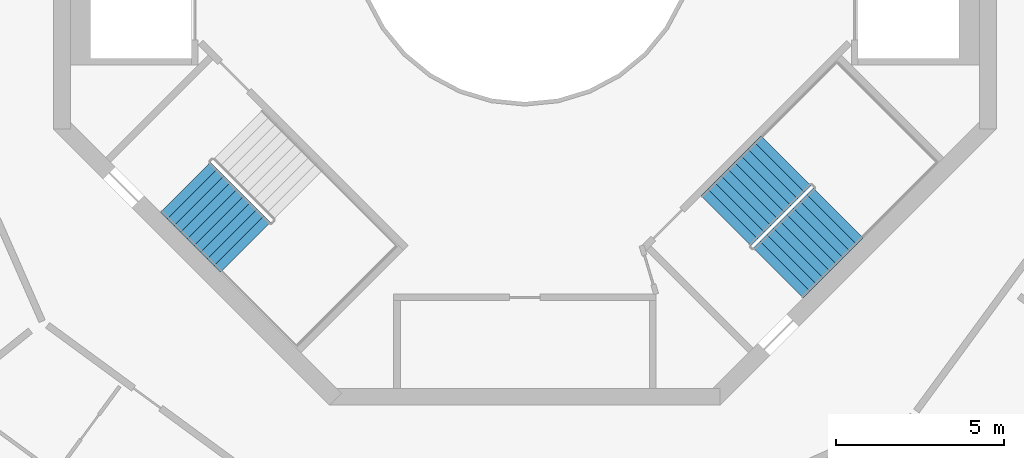
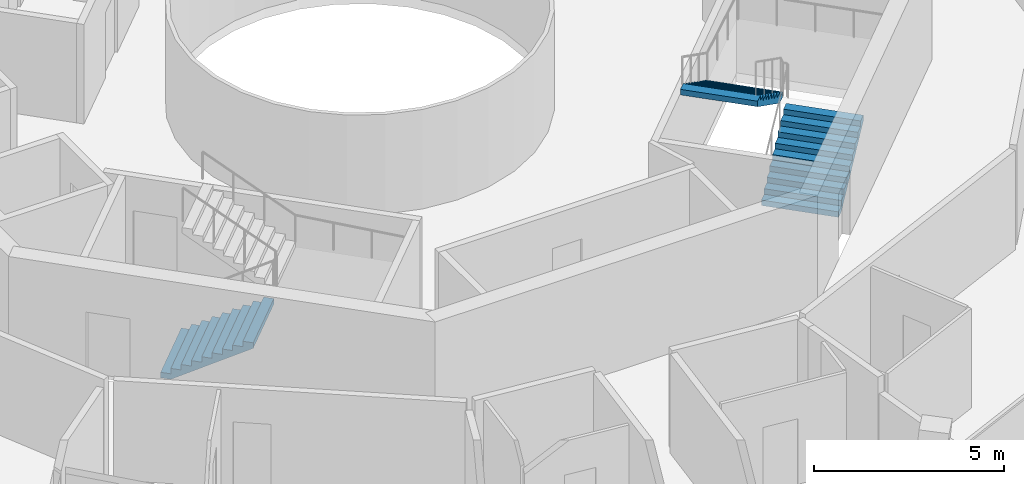
# One storey, part 20 of 22: 3 stair flights, 2 elements without a shape of their own.
"""IFC4 building model written with IfcOpenShell, lengths in metres."""

from ifc_helpers import new_model, si_unit, direction, frame, origin, place, context, subcontext, project, spatial, triangles, material, type_object, element, aggregate, save


model = new_model("IFC4")

# Units and contexts
model_context = context("Model", 3, precision=1e-05, world=origin(), true_north=direction((0.0, 1.0)))
body_context = subcontext(model_context, "Body", "Model", "MODEL_VIEW")
ifc_project = project(units=[si_unit("LENGTHUNIT", "METRE"), si_unit("AREAUNIT", "SQUARE_METRE"), si_unit("VOLUMEUNIT", "CUBIC_METRE"), si_unit("PLANEANGLEUNIT", "RADIAN"), si_unit("MASSUNIT", "GRAM", prefix="KILO")], contexts=[model_context])

# Site, building, storey
site_placement = place(None, origin())
site = spatial("IfcSite", under=ifc_project, at=site_placement, CompositionType="ELEMENT")
building_placement = place(site_placement, origin())
building = spatial("IfcBuilding", under=site, at=building_placement, Name="Verdalira Terraces Hotel", CompositionType="ELEMENT")
storey_placement = place(building_placement, frame((0.0, 0.0, 252.5)))
storey = spatial("IfcBuildingStorey", under=building, at=storey_placement, Name="L62", CompositionType="ELEMENT", Elevation=252.5)

# Stair, stair flight
ifc_material_1 = material(Name="Concrete C40", Category="concrete")
stair_type = type_object("IfcStairType", Name="Core stair 20 risers 2100 mm wide", PredefinedType="HALF_TURN_STAIR", material=ifc_material_1)
stair_1_placement = place(storey_placement, origin())
stair_1 = element("IfcStair", 1, at=stair_1_placement, inside=storey, type_object=stair_type, Name="L62 Exit stair ST2", PredefinedType="HALF_TURN_STAIR")
ifc_material_2 = material(Name="Concrete C40", Category="concrete")
stair_flight_type = type_object("IfcStairFlightType", Name="Core stair flight 20 risers 2100 mm wide", PredefinedType="STRAIGHT", material=ifc_material_2)
stair_flight_1_placement = place(storey_placement, frame((-10.076172, -7.530762, 0.0), z_axis=(0.0, 0.0, 1.0), x_axis=(0.707106781, -0.707106781, 0.0)))
stair_flight_1 = element("IfcStairFlight", 2, at=stair_flight_1_placement, type_object=stair_flight_type, Name="ST2 flight 1", NumberOfRisers=10, NumberOfTreads=9, PredefinedType="STRAIGHT", RiserHeight=0.175, TreadLength=0.28, context=body_context, shape_type="Tessellation", body=[
    triangles([(0.0, 1.050049, 0.0), (0.282715, 1.050049, 0.0), (2.52002, 1.050049, 1.398193), (0.0, -1.050049, 0.0), (0.282715, -1.050049, 0.0), (2.52002, -1.050049, 1.398193), (2.52002, 1.050049, 1.574951), (2.23999, 1.050049, 1.574951), (2.52002, -1.050049, 1.574951), (2.23999, -1.050049, 1.574951), (2.23999, 1.050049, 1.399902), (2.23999, -1.050049, 1.399902), (1.959961, 1.050049, 1.399902), (1.959961, -1.050049, 1.399902), (1.959961, 1.050049, 1.225098), (1.959961, -1.050049, 1.225098), (1.679932, 1.050049, 1.225098), (1.679932, 1.050049, 1.050049), (1.679932, -1.050049, 1.225098), (1.679932, -1.050049, 1.050049), (1.399902, 1.050049, 1.050049), (1.399902, 1.050049, 0.875), (1.399902, -1.050049, 1.050049), (1.399902, -1.050049, 0.875), (1.120117, 1.050049, 0.875), (1.120117, 1.050049, 0.699951), (1.120117, -1.050049, 0.875), (1.120117, -1.050049, 0.699951), (0.840088, 1.050049, 0.699951), (0.840088, 1.050049, 0.524902), (0.840088, -1.050049, 0.699951), (0.840088, -1.050049, 0.524902), (0.560059, 1.050049, 0.524902), (0.560059, 1.050049, 0.350098), (0.560059, -1.050049, 0.524902), (0.560059, -1.050049, 0.350098), (0.280029, 1.050049, 0.350098), (0.280029, 1.050049, 0.175049), (0.280029, -1.050049, 0.350098), (0.280029, -1.050049, 0.175049), (0.0, 1.050049, 0.175049), (0.0, -1.050049, 0.175049), (0.0, -0.984421, 0.0), (0.0, -0.984421, 0.175049), (0.0, -0.918793, 0.0), (0.0, -0.918793, 0.175049), (0.0, -0.853165, 0.0), (0.0, -0.853165, 0.175049), (0.0, -0.787537, 0.0), (0.0, -0.787537, 0.175049), (0.0, -0.721909, 0.0), (0.0, -0.721909, 0.175049), (0.0, -0.656281, 0.0), (0.0, -0.656281, 0.175049), (0.0, -0.590652, 0.0), (0.0, -0.590652, 0.175049), (0.0, -0.525024, 0.0), (0.0, -0.525024, 0.175049), (0.0, -0.459396, 0.0), (0.0, -0.459396, 0.175049), (0.0, -0.393768, 0.0), (0.0, -0.393768, 0.175049), (0.0, -0.32814, 0.0), (0.0, -0.32814, 0.175049), (0.0, -0.262512, 0.0), (0.0, -0.262512, 0.175049), (0.0, -0.196884, 0.0), (0.0, -0.196884, 0.175049), (0.0, -0.131256, 0.0), (0.0, -0.131256, 0.175049), (0.0, -0.065628, 0.0), (0.0, -0.065628, 0.175049), (0.0, 0.0, 0.0), (0.0, 0.0, 0.175049), (0.0, 0.065628, 0.0), (0.0, 0.065628, 0.175049), (0.0, 0.131256, 0.0), (0.0, 0.131256, 0.175049), (0.0, 0.196884, 0.0), (0.0, 0.196884, 0.175049), (0.0, 0.262512, 0.0), (0.0, 0.262512, 0.175049), (0.0, 0.32814, 0.0), (0.0, 0.32814, 0.175049), (0.0, 0.393768, 0.0), (0.0, 0.393768, 0.175049), (0.0, 0.459396, 0.0), (0.0, 0.459396, 0.175049), (0.0, 0.525024, 0.0), (0.0, 0.525024, 0.175049), (0.0, 0.590652, 0.0), (0.0, 0.590652, 0.175049), (0.0, 0.656281, 0.0), (0.0, 0.656281, 0.175049), (0.0, 0.721909, 0.0), (0.0, 0.721909, 0.175049), (0.0, 0.787537, 0.0), (0.0, 0.787537, 0.175049), (0.0, 0.853165, 0.0), (0.0, 0.853165, 0.175049), (0.0, 0.918793, 0.0), (0.0, 0.918793, 0.175049), (0.0, 0.984421, 0.0), (0.0, 0.984421, 0.175049), (2.52002, -0.984421, 1.574951), (2.52002, -0.918793, 1.574951), (2.52002, -0.853165, 1.574951), (2.52002, -0.787537, 1.574951), (2.52002, -0.721909, 1.574951), (2.52002, -0.656281, 1.574951), (2.52002, -0.590652, 1.574951), (2.52002, -0.525024, 1.574951), (2.52002, -0.459396, 1.574951), (2.52002, -0.393768, 1.574951), (2.52002, -0.32814, 1.574951), (2.52002, -0.262512, 1.574951), (2.52002, -0.196884, 1.574951), (2.52002, -0.131256, 1.574951), (2.52002, -0.065628, 1.574951), (2.52002, 0.0, 1.574951), (2.52002, 0.065628, 1.574951), (2.52002, 0.131256, 1.574951), (2.52002, 0.196884, 1.574951), (2.52002, 0.262512, 1.574951), (2.52002, 0.32814, 1.574951), (2.52002, 0.393768, 1.574951), (2.52002, 0.459396, 1.574951), (2.52002, 0.525024, 1.574951), (2.52002, 0.590652, 1.574951), (2.52002, 0.656281, 1.574951), (2.52002, 0.721909, 1.574951), (2.52002, 0.787537, 1.574951), (2.52002, 0.853165, 1.574951), (2.52002, 0.918793, 1.574951), (2.52002, 0.984421, 1.574951), (2.52002, -0.984421, 1.398193), (2.52002, -0.918793, 1.398193), (2.52002, -0.853165, 1.398193), (2.52002, -0.787537, 1.398193), (2.52002, -0.721909, 1.398193), (2.52002, -0.656281, 1.398193), (2.52002, -0.590652, 1.398193), (2.52002, -0.525024, 1.398193), (2.52002, -0.459396, 1.398193), (2.52002, -0.393768, 1.398193), (2.52002, -0.32814, 1.398193), (2.52002, -0.262512, 1.398193), (2.52002, -0.196884, 1.398193), (2.52002, -0.131256, 1.398193), (2.52002, -0.065628, 1.398193), (2.52002, 0.0, 1.398193), (2.52002, 0.065628, 1.398193), (2.52002, 0.131256, 1.398193), (2.52002, 0.196884, 1.398193), (2.52002, 0.262512, 1.398193), (2.52002, 0.32814, 1.398193), (2.52002, 0.393768, 1.398193), (2.52002, 0.459396, 1.398193), (2.52002, 0.525024, 1.398193), (2.52002, 0.590652, 1.398193), (2.52002, 0.656281, 1.398193), (2.52002, 0.721909, 1.398193), (2.52002, 0.787537, 1.398193), (2.52002, 0.853165, 1.398193), (2.52002, 0.918793, 1.398193), (2.52002, 0.984421, 1.398193)], [[1, 3, 2], [4, 5, 6], [3, 8, 7], [6, 9, 10], [3, 11, 8], [6, 10, 12], [3, 13, 11], [6, 12, 14], [3, 15, 13], [6, 14, 16], [15, 18, 17], [16, 19, 20], [3, 18, 15], [6, 16, 20], [18, 22, 21], [20, 23, 24], [3, 22, 18], [6, 20, 24], [22, 26, 25], [24, 27, 28], [3, 26, 22], [6, 24, 28], [26, 30, 29], [28, 31, 32], [3, 30, 26], [6, 28, 32], [1, 30, 3], [4, 6, 32], [30, 34, 33], [32, 35, 36], [34, 38, 37], [36, 39, 40], [30, 38, 34], [32, 36, 40], [1, 38, 30], [4, 32, 40], [38, 1, 41], [40, 42, 4], [4, 44, 43], [4, 42, 44], [43, 46, 45], [43, 44, 46], [45, 48, 47], [45, 46, 48], [47, 50, 49], [47, 48, 50], [49, 52, 51], [49, 50, 52], [51, 54, 53], [51, 52, 54], [53, 56, 55], [53, 54, 56], [55, 58, 57], [55, 56, 58], [57, 60, 59], [57, 58, 60], [59, 62, 61], [59, 60, 62], [61, 64, 63], [61, 62, 64], [63, 66, 65], [63, 64, 66], [65, 68, 67], [65, 66, 68], [67, 70, 69], [67, 68, 70], [69, 72, 71], [69, 70, 72], [71, 74, 73], [71, 72, 74], [73, 76, 75], [73, 74, 76], [75, 78, 77], [75, 76, 78], [77, 80, 79], [77, 78, 80], [79, 82, 81], [79, 80, 82], [81, 84, 83], [81, 82, 84], [83, 86, 85], [83, 84, 86], [85, 88, 87], [85, 86, 88], [87, 90, 89], [87, 88, 90], [89, 92, 91], [89, 90, 92], [91, 94, 93], [91, 92, 94], [93, 96, 95], [93, 94, 96], [95, 98, 97], [95, 96, 98], [97, 100, 99], [97, 98, 100], [99, 102, 101], [99, 100, 102], [101, 104, 103], [101, 102, 104], [103, 41, 1], [103, 104, 41], [42, 40, 44], [44, 40, 46], [46, 40, 48], [48, 40, 50], [50, 40, 52], [52, 40, 54], [54, 40, 56], [56, 40, 58], [58, 40, 60], [60, 40, 62], [62, 40, 64], [64, 40, 66], [66, 40, 68], [68, 40, 70], [70, 40, 72], [72, 40, 74], [74, 40, 76], [76, 40, 78], [78, 40, 80], [80, 40, 82], [82, 40, 84], [84, 40, 86], [86, 40, 88], [88, 40, 90], [90, 40, 92], [92, 40, 94], [94, 40, 96], [96, 40, 98], [98, 40, 100], [100, 40, 102], [102, 40, 104], [104, 40, 41], [41, 40, 38], [40, 37, 38], [40, 39, 37], [39, 34, 37], [39, 36, 34], [36, 33, 34], [36, 35, 33], [35, 30, 33], [35, 32, 30], [32, 29, 30], [32, 31, 29], [31, 26, 29], [31, 28, 26], [28, 25, 26], [28, 27, 25], [27, 22, 25], [27, 24, 22], [24, 21, 22], [24, 23, 21], [23, 18, 21], [23, 20, 18], [20, 17, 18], [20, 19, 17], [19, 15, 17], [19, 16, 15], [16, 13, 15], [16, 14, 13], [14, 11, 13], [14, 12, 11], [12, 8, 11], [12, 10, 8], [9, 105, 10], [105, 106, 10], [106, 107, 10], [107, 108, 10], [108, 109, 10], [109, 110, 10], [110, 111, 10], [111, 112, 10], [112, 113, 10], [113, 114, 10], [114, 115, 10], [115, 116, 10], [116, 117, 10], [117, 118, 10], [118, 119, 10], [119, 120, 10], [120, 121, 10], [121, 122, 10], [122, 123, 10], [123, 124, 10], [124, 125, 10], [125, 126, 10], [126, 127, 10], [127, 128, 10], [128, 129, 10], [129, 130, 10], [130, 131, 10], [131, 132, 10], [132, 133, 10], [133, 134, 10], [134, 135, 10], [135, 7, 10], [7, 8, 10], [9, 136, 105], [9, 6, 136], [105, 137, 106], [105, 136, 137], [106, 138, 107], [106, 137, 138], [107, 139, 108], [107, 138, 139], [108, 140, 109], [108, 139, 140], [109, 141, 110], [109, 140, 141], [110, 142, 111], [110, 141, 142], [111, 143, 112], [111, 142, 143], [112, 144, 113], [112, 143, 144], [113, 145, 114], [113, 144, 145], [114, 146, 115], [114, 145, 146], [115, 147, 116], [115, 146, 147], [116, 148, 117], [116, 147, 148], [117, 149, 118], [117, 148, 149], [118, 150, 119], [118, 149, 150], [119, 151, 120], [119, 150, 151], [120, 152, 121], [120, 151, 152], [121, 153, 122], [121, 152, 153], [122, 154, 123], [122, 153, 154], [123, 155, 124], [123, 154, 155], [124, 156, 125], [124, 155, 156], [125, 157, 126], [125, 156, 157], [126, 158, 127], [126, 157, 158], [127, 159, 128], [127, 158, 159], [128, 160, 129], [128, 159, 160], [129, 161, 130], [129, 160, 161], [130, 162, 131], [130, 161, 162], [131, 163, 132], [131, 162, 163], [132, 164, 133], [132, 163, 164], [133, 165, 134], [133, 164, 165], [134, 166, 135], [134, 165, 166], [135, 3, 7], [135, 166, 3], [6, 5, 136], [136, 5, 137], [137, 5, 138], [138, 5, 139], [139, 5, 140], [140, 5, 141], [141, 5, 142], [142, 5, 143], [143, 5, 144], [144, 5, 145], [145, 5, 146], [146, 5, 147], [147, 5, 148], [148, 5, 149], [149, 5, 150], [150, 5, 151], [151, 5, 152], [152, 5, 153], [153, 5, 154], [154, 5, 155], [155, 5, 156], [156, 5, 157], [157, 5, 158], [158, 5, 159], [159, 5, 160], [160, 5, 161], [161, 5, 162], [162, 5, 163], [163, 5, 164], [164, 5, 165], [165, 5, 166], [166, 5, 3], [3, 5, 2], [4, 43, 5], [43, 45, 5], [45, 47, 5], [47, 49, 5], [49, 51, 5], [51, 53, 5], [53, 55, 5], [55, 57, 5], [57, 59, 5], [59, 61, 5], [61, 63, 5], [63, 65, 5], [65, 67, 5], [67, 69, 5], [69, 71, 5], [71, 73, 5], [73, 75, 5], [75, 77, 5], [77, 79, 5], [79, 81, 5], [81, 83, 5], [83, 85, 5], [85, 87, 5], [87, 89, 5], [89, 91, 5], [91, 93, 5], [93, 95, 5], [95, 97, 5], [97, 99, 5], [99, 101, 5], [101, 103, 5], [103, 1, 5], [1, 2, 5]], closed=True),
])
aggregate(stair_1, [stair_flight_1])

# Stair, stair flights
stair_2_placement = place(storey_placement, origin())
stair_2 = element("IfcStair", 3, at=stair_2_placement, inside=storey, type_object=stair_type, Name="L62 Exit stair ST3", PredefinedType="HALF_TURN_STAIR")
stair_flight_2_placement = place(storey_placement, frame((7.530762, -10.076172, 0.0), z_axis=(0.0, 0.0, 1.0), x_axis=(0.707106781, 0.707106781, 0.0)))
stair_flight_2 = element("IfcStairFlight", 4, at=stair_flight_2_placement, type_object=stair_flight_type, Name="ST3 flight 1", NumberOfRisers=10, NumberOfTreads=9, PredefinedType="STRAIGHT", RiserHeight=0.175, TreadLength=0.28, context=body_context, shape_type="Tessellation", body=[
    triangles([(0.0, 1.050049, 0.0), (0.282715, 1.050049, 0.0), (2.52002, 1.050049, 1.398193), (0.0, -1.050049, 0.0), (0.282715, -1.050049, 0.0), (2.52002, -1.050049, 1.398193), (2.52002, 1.050049, 1.574951), (2.23999, 1.050049, 1.574951), (2.52002, -1.050049, 1.574951), (2.23999, -1.050049, 1.574951), (2.23999, 1.050049, 1.399902), (2.23999, -1.050049, 1.399902), (1.959961, 1.050049, 1.399902), (1.959961, -1.050049, 1.399902), (1.959961, 1.050049, 1.225098), (1.959961, -1.050049, 1.225098), (1.679932, 1.050049, 1.225098), (1.679932, 1.050049, 1.050049), (1.679932, -1.050049, 1.225098), (1.679932, -1.050049, 1.050049), (1.399902, 1.050049, 1.050049), (1.399902, 1.050049, 0.875), (1.399902, -1.050049, 1.050049), (1.399902, -1.050049, 0.875), (1.120117, 1.050049, 0.875), (1.120117, 1.050049, 0.699951), (1.120117, -1.050049, 0.875), (1.120117, -1.050049, 0.699951), (0.840088, 1.050049, 0.699951), (0.840088, 1.050049, 0.524902), (0.840088, -1.050049, 0.699951), (0.840088, -1.050049, 0.524902), (0.560059, 1.050049, 0.524902), (0.560059, 1.050049, 0.350098), (0.560059, -1.050049, 0.524902), (0.560059, -1.050049, 0.350098), (0.280029, 1.050049, 0.350098), (0.280029, 1.050049, 0.175049), (0.280029, -1.050049, 0.350098), (0.280029, -1.050049, 0.175049), (0.0, 1.050049, 0.175049), (0.0, -1.050049, 0.175049), (0.0, -0.984421, 0.0), (0.0, -0.984421, 0.175049), (0.0, -0.918793, 0.0), (0.0, -0.918793, 0.175049), (0.0, -0.853165, 0.0), (0.0, -0.853165, 0.175049), (0.0, -0.787537, 0.0), (0.0, -0.787537, 0.175049), (0.0, -0.721909, 0.0), (0.0, -0.721909, 0.175049), (0.0, -0.656281, 0.0), (0.0, -0.656281, 0.175049), (0.0, -0.590652, 0.0), (0.0, -0.590652, 0.175049), (0.0, -0.525024, 0.0), (0.0, -0.525024, 0.175049), (0.0, -0.459396, 0.0), (0.0, -0.459396, 0.175049), (0.0, -0.393768, 0.0), (0.0, -0.393768, 0.175049), (0.0, -0.32814, 0.0), (0.0, -0.32814, 0.175049), (0.0, -0.262512, 0.0), (0.0, -0.262512, 0.175049), (0.0, -0.196884, 0.0), (0.0, -0.196884, 0.175049), (0.0, -0.131256, 0.0), (0.0, -0.131256, 0.175049), (0.0, -0.065628, 0.0), (0.0, -0.065628, 0.175049), (0.0, 0.0, 0.0), (0.0, 0.0, 0.175049), (0.0, 0.065628, 0.0), (0.0, 0.065628, 0.175049), (0.0, 0.131256, 0.0), (0.0, 0.131256, 0.175049), (0.0, 0.196884, 0.0), (0.0, 0.196884, 0.175049), (0.0, 0.262512, 0.0), (0.0, 0.262512, 0.175049), (0.0, 0.32814, 0.0), (0.0, 0.32814, 0.175049), (0.0, 0.393768, 0.0), (0.0, 0.393768, 0.175049), (0.0, 0.459396, 0.0), (0.0, 0.459396, 0.175049), (0.0, 0.525024, 0.0), (0.0, 0.525024, 0.175049), (0.0, 0.590652, 0.0), (0.0, 0.590652, 0.175049), (0.0, 0.656281, 0.0), (0.0, 0.656281, 0.175049), (0.0, 0.721909, 0.0), (0.0, 0.721909, 0.175049), (0.0, 0.787537, 0.0), (0.0, 0.787537, 0.175049), (0.0, 0.853165, 0.0), (0.0, 0.853165, 0.175049), (0.0, 0.918793, 0.0), (0.0, 0.918793, 0.175049), (0.0, 0.984421, 0.0), (0.0, 0.984421, 0.175049), (2.52002, -0.984421, 1.574951), (2.52002, -0.918793, 1.574951), (2.52002, -0.853165, 1.574951), (2.52002, -0.787537, 1.574951), (2.52002, -0.721909, 1.574951), (2.52002, -0.656281, 1.574951), (2.52002, -0.590652, 1.574951), (2.52002, -0.525024, 1.574951), (2.52002, -0.459396, 1.574951), (2.52002, -0.393768, 1.574951), (2.52002, -0.32814, 1.574951), (2.52002, -0.262512, 1.574951), (2.52002, -0.196884, 1.574951), (2.52002, -0.131256, 1.574951), (2.52002, -0.065628, 1.574951), (2.52002, 0.0, 1.574951), (2.52002, 0.065628, 1.574951), (2.52002, 0.131256, 1.574951), (2.52002, 0.196884, 1.574951), (2.52002, 0.262512, 1.574951), (2.52002, 0.32814, 1.574951), (2.52002, 0.393768, 1.574951), (2.52002, 0.459396, 1.574951), (2.52002, 0.525024, 1.574951), (2.52002, 0.590652, 1.574951), (2.52002, 0.656281, 1.574951), (2.52002, 0.721909, 1.574951), (2.52002, 0.787537, 1.574951), (2.52002, 0.853165, 1.574951), (2.52002, 0.918793, 1.574951), (2.52002, 0.984421, 1.574951), (2.52002, -0.984421, 1.398193), (2.52002, -0.918793, 1.398193), (2.52002, -0.853165, 1.398193), (2.52002, -0.787537, 1.398193), (2.52002, -0.721909, 1.398193), (2.52002, -0.656281, 1.398193), (2.52002, -0.590652, 1.398193), (2.52002, -0.525024, 1.398193), (2.52002, -0.459396, 1.398193), (2.52002, -0.393768, 1.398193), (2.52002, -0.32814, 1.398193), (2.52002, -0.262512, 1.398193), (2.52002, -0.196884, 1.398193), (2.52002, -0.131256, 1.398193), (2.52002, -0.065628, 1.398193), (2.52002, 0.0, 1.398193), (2.52002, 0.065628, 1.398193), (2.52002, 0.131256, 1.398193), (2.52002, 0.196884, 1.398193), (2.52002, 0.262512, 1.398193), (2.52002, 0.32814, 1.398193), (2.52002, 0.393768, 1.398193), (2.52002, 0.459396, 1.398193), (2.52002, 0.525024, 1.398193), (2.52002, 0.590652, 1.398193), (2.52002, 0.656281, 1.398193), (2.52002, 0.721909, 1.398193), (2.52002, 0.787537, 1.398193), (2.52002, 0.853165, 1.398193), (2.52002, 0.918793, 1.398193), (2.52002, 0.984421, 1.398193)], [[1, 3, 2], [4, 5, 6], [3, 8, 7], [6, 9, 10], [3, 11, 8], [6, 10, 12], [3, 13, 11], [6, 12, 14], [3, 15, 13], [6, 14, 16], [15, 18, 17], [16, 19, 20], [3, 18, 15], [6, 16, 20], [18, 22, 21], [20, 23, 24], [3, 22, 18], [6, 20, 24], [22, 26, 25], [24, 27, 28], [3, 26, 22], [6, 24, 28], [26, 30, 29], [28, 31, 32], [3, 30, 26], [6, 28, 32], [1, 30, 3], [4, 6, 32], [30, 34, 33], [32, 35, 36], [34, 38, 37], [36, 39, 40], [30, 38, 34], [32, 36, 40], [1, 38, 30], [4, 32, 40], [38, 1, 41], [40, 42, 4], [4, 44, 43], [4, 42, 44], [43, 46, 45], [43, 44, 46], [45, 48, 47], [45, 46, 48], [47, 50, 49], [47, 48, 50], [49, 52, 51], [49, 50, 52], [51, 54, 53], [51, 52, 54], [53, 56, 55], [53, 54, 56], [55, 58, 57], [55, 56, 58], [57, 60, 59], [57, 58, 60], [59, 62, 61], [59, 60, 62], [61, 64, 63], [61, 62, 64], [63, 66, 65], [63, 64, 66], [65, 68, 67], [65, 66, 68], [67, 70, 69], [67, 68, 70], [69, 72, 71], [69, 70, 72], [71, 74, 73], [71, 72, 74], [73, 76, 75], [73, 74, 76], [75, 78, 77], [75, 76, 78], [77, 80, 79], [77, 78, 80], [79, 82, 81], [79, 80, 82], [81, 84, 83], [81, 82, 84], [83, 86, 85], [83, 84, 86], [85, 88, 87], [85, 86, 88], [87, 90, 89], [87, 88, 90], [89, 92, 91], [89, 90, 92], [91, 94, 93], [91, 92, 94], [93, 96, 95], [93, 94, 96], [95, 98, 97], [95, 96, 98], [97, 100, 99], [97, 98, 100], [99, 102, 101], [99, 100, 102], [101, 104, 103], [101, 102, 104], [103, 41, 1], [103, 104, 41], [42, 40, 44], [44, 40, 46], [46, 40, 48], [48, 40, 50], [50, 40, 52], [52, 40, 54], [54, 40, 56], [56, 40, 58], [58, 40, 60], [60, 40, 62], [62, 40, 64], [64, 40, 66], [66, 40, 68], [68, 40, 70], [70, 40, 72], [72, 40, 74], [74, 40, 76], [76, 40, 78], [78, 40, 80], [80, 40, 82], [82, 40, 84], [84, 40, 86], [86, 40, 88], [88, 40, 90], [90, 40, 92], [92, 40, 94], [94, 40, 96], [96, 40, 98], [98, 40, 100], [100, 40, 102], [102, 40, 104], [104, 40, 41], [41, 40, 38], [40, 37, 38], [40, 39, 37], [39, 34, 37], [39, 36, 34], [36, 33, 34], [36, 35, 33], [35, 30, 33], [35, 32, 30], [32, 29, 30], [32, 31, 29], [31, 26, 29], [31, 28, 26], [28, 25, 26], [28, 27, 25], [27, 22, 25], [27, 24, 22], [24, 21, 22], [24, 23, 21], [23, 18, 21], [23, 20, 18], [20, 17, 18], [20, 19, 17], [19, 15, 17], [19, 16, 15], [16, 13, 15], [16, 14, 13], [14, 11, 13], [14, 12, 11], [12, 8, 11], [12, 10, 8], [9, 105, 10], [105, 106, 10], [106, 107, 10], [107, 108, 10], [108, 109, 10], [109, 110, 10], [110, 111, 10], [111, 112, 10], [112, 113, 10], [113, 114, 10], [114, 115, 10], [115, 116, 10], [116, 117, 10], [117, 118, 10], [118, 119, 10], [119, 120, 10], [120, 121, 10], [121, 122, 10], [122, 123, 10], [123, 124, 10], [124, 125, 10], [125, 126, 10], [126, 127, 10], [127, 128, 10], [128, 129, 10], [129, 130, 10], [130, 131, 10], [131, 132, 10], [132, 133, 10], [133, 134, 10], [134, 135, 10], [135, 7, 10], [7, 8, 10], [9, 136, 105], [9, 6, 136], [105, 137, 106], [105, 136, 137], [106, 138, 107], [106, 137, 138], [107, 139, 108], [107, 138, 139], [108, 140, 109], [108, 139, 140], [109, 141, 110], [109, 140, 141], [110, 142, 111], [110, 141, 142], [111, 143, 112], [111, 142, 143], [112, 144, 113], [112, 143, 144], [113, 145, 114], [113, 144, 145], [114, 146, 115], [114, 145, 146], [115, 147, 116], [115, 146, 147], [116, 148, 117], [116, 147, 148], [117, 149, 118], [117, 148, 149], [118, 150, 119], [118, 149, 150], [119, 151, 120], [119, 150, 151], [120, 152, 121], [120, 151, 152], [121, 153, 122], [121, 152, 153], [122, 154, 123], [122, 153, 154], [123, 155, 124], [123, 154, 155], [124, 156, 125], [124, 155, 156], [125, 157, 126], [125, 156, 157], [126, 158, 127], [126, 157, 158], [127, 159, 128], [127, 158, 159], [128, 160, 129], [128, 159, 160], [129, 161, 130], [129, 160, 161], [130, 162, 131], [130, 161, 162], [131, 163, 132], [131, 162, 163], [132, 164, 133], [132, 163, 164], [133, 165, 134], [133, 164, 165], [134, 166, 135], [134, 165, 166], [135, 3, 7], [135, 166, 3], [6, 5, 136], [136, 5, 137], [137, 5, 138], [138, 5, 139], [139, 5, 140], [140, 5, 141], [141, 5, 142], [142, 5, 143], [143, 5, 144], [144, 5, 145], [145, 5, 146], [146, 5, 147], [147, 5, 148], [148, 5, 149], [149, 5, 150], [150, 5, 151], [151, 5, 152], [152, 5, 153], [153, 5, 154], [154, 5, 155], [155, 5, 156], [156, 5, 157], [157, 5, 158], [158, 5, 159], [159, 5, 160], [160, 5, 161], [161, 5, 162], [162, 5, 163], [163, 5, 164], [164, 5, 165], [165, 5, 166], [166, 5, 3], [3, 5, 2], [4, 43, 5], [43, 45, 5], [45, 47, 5], [47, 49, 5], [49, 51, 5], [51, 53, 5], [53, 55, 5], [55, 57, 5], [57, 59, 5], [59, 61, 5], [61, 63, 5], [63, 65, 5], [65, 67, 5], [67, 69, 5], [69, 71, 5], [71, 73, 5], [73, 75, 5], [75, 77, 5], [77, 79, 5], [79, 81, 5], [81, 83, 5], [83, 85, 5], [85, 87, 5], [87, 89, 5], [89, 91, 5], [91, 93, 5], [93, 95, 5], [95, 97, 5], [97, 99, 5], [99, 101, 5], [101, 103, 5], [103, 1, 5], [1, 2, 5]], closed=True),
])
stair_flight_3_placement = place(storey_placement, frame((7.75708, -6.73877, 1.75), z_axis=(0.0, 0.0, 1.0), x_axis=(-0.707106781, -0.707106781, 0.0)))
stair_flight_3 = element("IfcStairFlight", 5, at=stair_flight_3_placement, type_object=stair_flight_type, Name="ST3 flight 2", NumberOfRisers=10, NumberOfTreads=9, PredefinedType="STRAIGHT", RiserHeight=0.175, TreadLength=0.28, context=body_context, shape_type="Tessellation", body=[
    triangles([(0.0, 1.050049, 0.0), (0.282715, 1.050049, 0.0), (2.52002, 1.050049, 1.398193), (0.0, -1.050049, 0.0), (0.282715, -1.050049, 0.0), (2.52002, -1.050049, 1.398193), (2.52002, 1.050049, 1.574951), (2.23999, 1.050049, 1.574951), (2.52002, -1.050049, 1.574951), (2.23999, -1.050049, 1.574951), (2.23999, 1.050049, 1.399902), (2.23999, -1.050049, 1.399902), (1.959961, 1.050049, 1.399902), (1.959961, -1.050049, 1.399902), (1.959961, 1.050049, 1.225098), (1.959961, -1.050049, 1.225098), (1.679932, 1.050049, 1.225098), (1.679932, 1.050049, 1.050049), (1.679932, -1.050049, 1.225098), (1.679932, -1.050049, 1.050049), (1.399902, 1.050049, 1.050049), (1.399902, 1.050049, 0.875), (1.399902, -1.050049, 1.050049), (1.399902, -1.050049, 0.875), (1.120117, 1.050049, 0.875), (1.120117, 1.050049, 0.699951), (1.120117, -1.050049, 0.875), (1.120117, -1.050049, 0.699951), (0.840088, 1.050049, 0.699951), (0.840088, 1.050049, 0.524902), (0.840088, -1.050049, 0.699951), (0.840088, -1.050049, 0.524902), (0.560059, 1.050049, 0.524902), (0.560059, 1.050049, 0.350098), (0.560059, -1.050049, 0.524902), (0.560059, -1.050049, 0.350098), (0.280029, 1.050049, 0.350098), (0.280029, 1.050049, 0.175049), (0.280029, -1.050049, 0.350098), (0.280029, -1.050049, 0.175049), (0.0, 1.050049, 0.175049), (0.0, -1.050049, 0.175049), (0.0, -0.984421, 0.0), (0.0, -0.984421, 0.175049), (0.0, -0.918793, 0.0), (0.0, -0.918793, 0.175049), (0.0, -0.853165, 0.0), (0.0, -0.853165, 0.175049), (0.0, -0.787537, 0.0), (0.0, -0.787537, 0.175049), (0.0, -0.721909, 0.0), (0.0, -0.721909, 0.175049), (0.0, -0.656281, 0.0), (0.0, -0.656281, 0.175049), (0.0, -0.590652, 0.0), (0.0, -0.590652, 0.175049), (0.0, -0.525024, 0.0), (0.0, -0.525024, 0.175049), (0.0, -0.459396, 0.0), (0.0, -0.459396, 0.175049), (0.0, -0.393768, 0.0), (0.0, -0.393768, 0.175049), (0.0, -0.32814, 0.0), (0.0, -0.32814, 0.175049), (0.0, -0.262512, 0.0), (0.0, -0.262512, 0.175049), (0.0, -0.196884, 0.0), (0.0, -0.196884, 0.175049), (0.0, -0.131256, 0.0), (0.0, -0.131256, 0.175049), (0.0, -0.065628, 0.0), (0.0, -0.065628, 0.175049), (0.0, 0.0, 0.0), (0.0, 0.0, 0.175049), (0.0, 0.065628, 0.0), (0.0, 0.065628, 0.175049), (0.0, 0.131256, 0.0), (0.0, 0.131256, 0.175049), (0.0, 0.196884, 0.0), (0.0, 0.196884, 0.175049), (0.0, 0.262512, 0.0), (0.0, 0.262512, 0.175049), (0.0, 0.32814, 0.0), (0.0, 0.32814, 0.175049), (0.0, 0.393768, 0.0), (0.0, 0.393768, 0.175049), (0.0, 0.459396, 0.0), (0.0, 0.459396, 0.175049), (0.0, 0.525024, 0.0), (0.0, 0.525024, 0.175049), (0.0, 0.590652, 0.0), (0.0, 0.590652, 0.175049), (0.0, 0.656281, 0.0), (0.0, 0.656281, 0.175049), (0.0, 0.721909, 0.0), (0.0, 0.721909, 0.175049), (0.0, 0.787537, 0.0), (0.0, 0.787537, 0.175049), (0.0, 0.853165, 0.0), (0.0, 0.853165, 0.175049), (0.0, 0.918793, 0.0), (0.0, 0.918793, 0.175049), (0.0, 0.984421, 0.0), (0.0, 0.984421, 0.175049), (2.52002, -0.984421, 1.574951), (2.52002, -0.918793, 1.574951), (2.52002, -0.853165, 1.574951), (2.52002, -0.787537, 1.574951), (2.52002, -0.721909, 1.574951), (2.52002, -0.656281, 1.574951), (2.52002, -0.590652, 1.574951), (2.52002, -0.525024, 1.574951), (2.52002, -0.459396, 1.574951), (2.52002, -0.393768, 1.574951), (2.52002, -0.32814, 1.574951), (2.52002, -0.262512, 1.574951), (2.52002, -0.196884, 1.574951), (2.52002, -0.131256, 1.574951), (2.52002, -0.065628, 1.574951), (2.52002, 0.0, 1.574951), (2.52002, 0.065628, 1.574951), (2.52002, 0.131256, 1.574951), (2.52002, 0.196884, 1.574951), (2.52002, 0.262512, 1.574951), (2.52002, 0.32814, 1.574951), (2.52002, 0.393768, 1.574951), (2.52002, 0.459396, 1.574951), (2.52002, 0.525024, 1.574951), (2.52002, 0.590652, 1.574951), (2.52002, 0.656281, 1.574951), (2.52002, 0.721909, 1.574951), (2.52002, 0.787537, 1.574951), (2.52002, 0.853165, 1.574951), (2.52002, 0.918793, 1.574951), (2.52002, 0.984421, 1.574951), (2.52002, -0.984421, 1.398193), (2.52002, -0.918793, 1.398193), (2.52002, -0.853165, 1.398193), (2.52002, -0.787537, 1.398193), (2.52002, -0.721909, 1.398193), (2.52002, -0.656281, 1.398193), (2.52002, -0.590652, 1.398193), (2.52002, -0.525024, 1.398193), (2.52002, -0.459396, 1.398193), (2.52002, -0.393768, 1.398193), (2.52002, -0.32814, 1.398193), (2.52002, -0.262512, 1.398193), (2.52002, -0.196884, 1.398193), (2.52002, -0.131256, 1.398193), (2.52002, -0.065628, 1.398193), (2.52002, 0.0, 1.398193), (2.52002, 0.065628, 1.398193), (2.52002, 0.131256, 1.398193), (2.52002, 0.196884, 1.398193), (2.52002, 0.262512, 1.398193), (2.52002, 0.32814, 1.398193), (2.52002, 0.393768, 1.398193), (2.52002, 0.459396, 1.398193), (2.52002, 0.525024, 1.398193), (2.52002, 0.590652, 1.398193), (2.52002, 0.656281, 1.398193), (2.52002, 0.721909, 1.398193), (2.52002, 0.787537, 1.398193), (2.52002, 0.853165, 1.398193), (2.52002, 0.918793, 1.398193), (2.52002, 0.984421, 1.398193)], [[1, 3, 2], [4, 5, 6], [3, 8, 7], [6, 9, 10], [3, 11, 8], [6, 10, 12], [3, 13, 11], [6, 12, 14], [3, 15, 13], [6, 14, 16], [15, 18, 17], [16, 19, 20], [3, 18, 15], [6, 16, 20], [18, 22, 21], [20, 23, 24], [3, 22, 18], [6, 20, 24], [22, 26, 25], [24, 27, 28], [3, 26, 22], [6, 24, 28], [26, 30, 29], [28, 31, 32], [3, 30, 26], [6, 28, 32], [1, 30, 3], [4, 6, 32], [30, 34, 33], [32, 35, 36], [34, 38, 37], [36, 39, 40], [30, 38, 34], [32, 36, 40], [1, 38, 30], [4, 32, 40], [38, 1, 41], [40, 42, 4], [4, 44, 43], [4, 42, 44], [43, 46, 45], [43, 44, 46], [45, 48, 47], [45, 46, 48], [47, 50, 49], [47, 48, 50], [49, 52, 51], [49, 50, 52], [51, 54, 53], [51, 52, 54], [53, 56, 55], [53, 54, 56], [55, 58, 57], [55, 56, 58], [57, 60, 59], [57, 58, 60], [59, 62, 61], [59, 60, 62], [61, 64, 63], [61, 62, 64], [63, 66, 65], [63, 64, 66], [65, 68, 67], [65, 66, 68], [67, 70, 69], [67, 68, 70], [69, 72, 71], [69, 70, 72], [71, 74, 73], [71, 72, 74], [73, 76, 75], [73, 74, 76], [75, 78, 77], [75, 76, 78], [77, 80, 79], [77, 78, 80], [79, 82, 81], [79, 80, 82], [81, 84, 83], [81, 82, 84], [83, 86, 85], [83, 84, 86], [85, 88, 87], [85, 86, 88], [87, 90, 89], [87, 88, 90], [89, 92, 91], [89, 90, 92], [91, 94, 93], [91, 92, 94], [93, 96, 95], [93, 94, 96], [95, 98, 97], [95, 96, 98], [97, 100, 99], [97, 98, 100], [99, 102, 101], [99, 100, 102], [101, 104, 103], [101, 102, 104], [103, 41, 1], [103, 104, 41], [42, 40, 44], [44, 40, 46], [46, 40, 48], [48, 40, 50], [50, 40, 52], [52, 40, 54], [54, 40, 56], [56, 40, 58], [58, 40, 60], [60, 40, 62], [62, 40, 64], [64, 40, 66], [66, 40, 68], [68, 40, 70], [70, 40, 72], [72, 40, 74], [74, 40, 76], [76, 40, 78], [78, 40, 80], [80, 40, 82], [82, 40, 84], [84, 40, 86], [86, 40, 88], [88, 40, 90], [90, 40, 92], [92, 40, 94], [94, 40, 96], [96, 40, 98], [98, 40, 100], [100, 40, 102], [102, 40, 104], [104, 40, 41], [41, 40, 38], [40, 37, 38], [40, 39, 37], [39, 34, 37], [39, 36, 34], [36, 33, 34], [36, 35, 33], [35, 30, 33], [35, 32, 30], [32, 29, 30], [32, 31, 29], [31, 26, 29], [31, 28, 26], [28, 25, 26], [28, 27, 25], [27, 22, 25], [27, 24, 22], [24, 21, 22], [24, 23, 21], [23, 18, 21], [23, 20, 18], [20, 17, 18], [20, 19, 17], [19, 15, 17], [19, 16, 15], [16, 13, 15], [16, 14, 13], [14, 11, 13], [14, 12, 11], [12, 8, 11], [12, 10, 8], [9, 105, 10], [105, 106, 10], [106, 107, 10], [107, 108, 10], [108, 109, 10], [109, 110, 10], [110, 111, 10], [111, 112, 10], [112, 113, 10], [113, 114, 10], [114, 115, 10], [115, 116, 10], [116, 117, 10], [117, 118, 10], [118, 119, 10], [119, 120, 10], [120, 121, 10], [121, 122, 10], [122, 123, 10], [123, 124, 10], [124, 125, 10], [125, 126, 10], [126, 127, 10], [127, 128, 10], [128, 129, 10], [129, 130, 10], [130, 131, 10], [131, 132, 10], [132, 133, 10], [133, 134, 10], [134, 135, 10], [135, 7, 10], [7, 8, 10], [9, 136, 105], [9, 6, 136], [105, 137, 106], [105, 136, 137], [106, 138, 107], [106, 137, 138], [107, 139, 108], [107, 138, 139], [108, 140, 109], [108, 139, 140], [109, 141, 110], [109, 140, 141], [110, 142, 111], [110, 141, 142], [111, 143, 112], [111, 142, 143], [112, 144, 113], [112, 143, 144], [113, 145, 114], [113, 144, 145], [114, 146, 115], [114, 145, 146], [115, 147, 116], [115, 146, 147], [116, 148, 117], [116, 147, 148], [117, 149, 118], [117, 148, 149], [118, 150, 119], [118, 149, 150], [119, 151, 120], [119, 150, 151], [120, 152, 121], [120, 151, 152], [121, 153, 122], [121, 152, 153], [122, 154, 123], [122, 153, 154], [123, 155, 124], [123, 154, 155], [124, 156, 125], [124, 155, 156], [125, 157, 126], [125, 156, 157], [126, 158, 127], [126, 157, 158], [127, 159, 128], [127, 158, 159], [128, 160, 129], [128, 159, 160], [129, 161, 130], [129, 160, 161], [130, 162, 131], [130, 161, 162], [131, 163, 132], [131, 162, 163], [132, 164, 133], [132, 163, 164], [133, 165, 134], [133, 164, 165], [134, 166, 135], [134, 165, 166], [135, 3, 7], [135, 166, 3], [6, 5, 136], [136, 5, 137], [137, 5, 138], [138, 5, 139], [139, 5, 140], [140, 5, 141], [141, 5, 142], [142, 5, 143], [143, 5, 144], [144, 5, 145], [145, 5, 146], [146, 5, 147], [147, 5, 148], [148, 5, 149], [149, 5, 150], [150, 5, 151], [151, 5, 152], [152, 5, 153], [153, 5, 154], [154, 5, 155], [155, 5, 156], [156, 5, 157], [157, 5, 158], [158, 5, 159], [159, 5, 160], [160, 5, 161], [161, 5, 162], [162, 5, 163], [163, 5, 164], [164, 5, 165], [165, 5, 166], [166, 5, 3], [3, 5, 2], [4, 43, 5], [43, 45, 5], [45, 47, 5], [47, 49, 5], [49, 51, 5], [51, 53, 5], [53, 55, 5], [55, 57, 5], [57, 59, 5], [59, 61, 5], [61, 63, 5], [63, 65, 5], [65, 67, 5], [67, 69, 5], [69, 71, 5], [71, 73, 5], [73, 75, 5], [75, 77, 5], [77, 79, 5], [79, 81, 5], [81, 83, 5], [83, 85, 5], [85, 87, 5], [87, 89, 5], [89, 91, 5], [91, 93, 5], [93, 95, 5], [95, 97, 5], [97, 99, 5], [99, 101, 5], [101, 103, 5], [103, 1, 5], [1, 2, 5]], closed=True),
])
aggregate(stair_2, [stair_flight_2, stair_flight_3])

save(model, "model.ifc")
